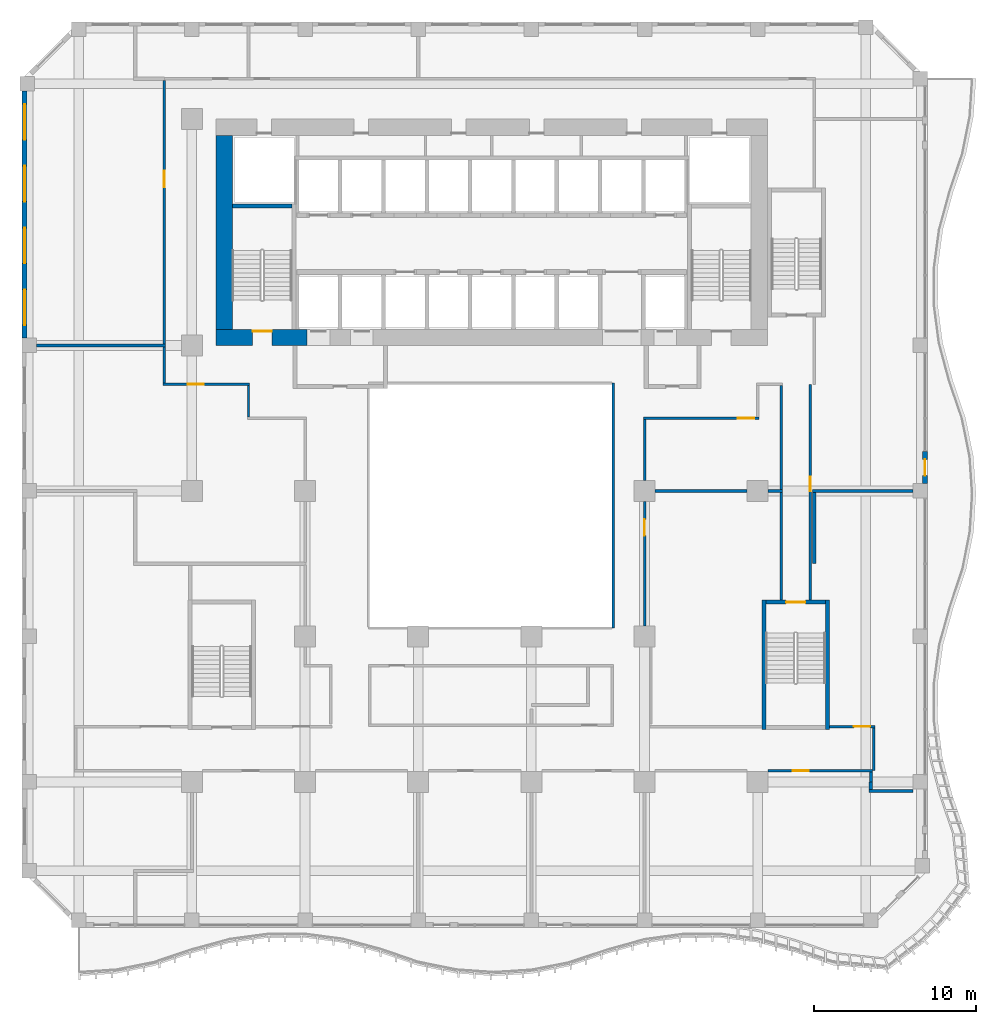
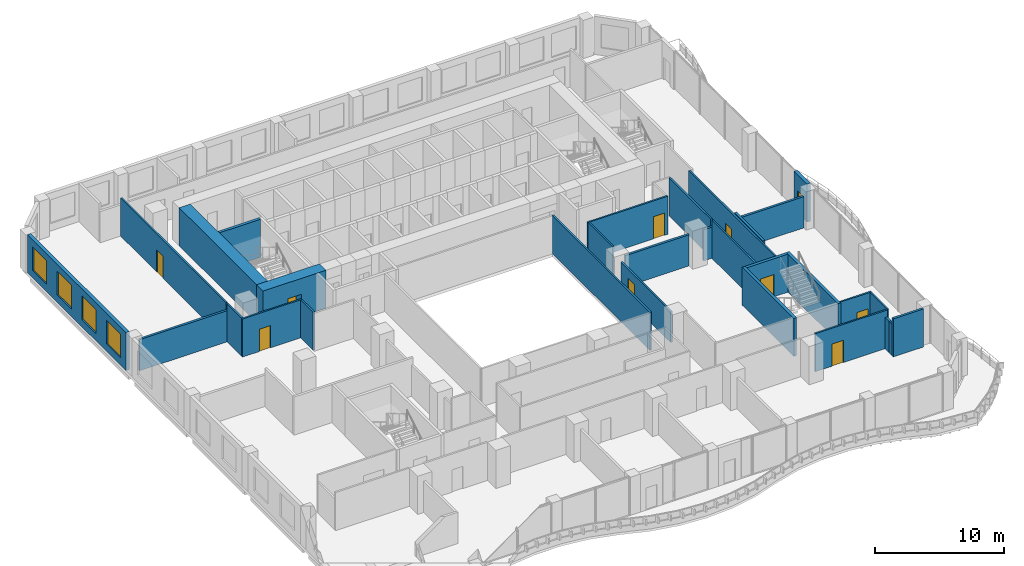
# One storey, part 14 of 23: 30 walls, 10 doors, 4 windows, 14 openings.
"""IFC4 building model written with IfcOpenShell, lengths in metres."""

import ifcopenshell
import ifcopenshell.guid

model = None  # the IFC model being written
_history = None  # IfcOwnerHistory: only IFC2X3 demands one
_inside = {}  # id of a spatial element -> (the spatial element, [elements in it])
_under = {}  # id of a project, library or spatial element -> (it, [spatial elements below it])
_declared = {}  # id of a project -> (the project, [libraries it declares])
_typed = {}  # id of a type object -> (the type object, [elements of that type])
_made_of = {}  # id of a material, layer set ... -> (it, [elements and type objects made of it])


def new_model(schema):
    """Start an empty IFC model of exactly this schema.

    Asked for "IFC4X3", IfcOpenShell would pick the latest addendum, in which some entities
    have other attributes; the version numbers below select the first issue.
    IFC2X3 requires an IfcOwnerHistory on every rooted entity: one is made here for all.
    """
    global model, _history
    if schema == "IFC4X3":
        model = ifcopenshell.file(schema_version=(4, 3, 0, 0))
    else:
        model = ifcopenshell.file(schema=schema)
    _inside.clear()
    _under.clear()
    _declared.clear()
    _typed.clear()
    _made_of.clear()
    _history = None
    if model.schema == "IFC2X3":
        org = make("IfcOrganization", Name="unknown")
        user = make(
            "IfcPersonAndOrganization",
            ThePerson=make("IfcPerson", FamilyName="unknown"),
            TheOrganization=org,
        )
        app = make(
            "IfcApplication",
            ApplicationDeveloper=org,
            Version="unknown",
            ApplicationFullName="unknown",
            ApplicationIdentifier="unknown",
        )
        _history = make(
            "IfcOwnerHistory",
            OwningUser=user,
            OwningApplication=app,
            ChangeAction="ADDED",
            CreationDate=0,
        )
    return model


def make(cls, **values):
    """One entity of the class cls with the attributes given. An attribute that is None is left unset."""
    return model.create_entity(
        cls, **{name: value for name, value in values.items() if value is not None}
    )


def rooted(cls, **values):
    """An entity with a GlobalId (a new one), such as an element, a storey or a relation."""
    return make(cls, GlobalId=ifcopenshell.guid.new(), OwnerHistory=_history, **values)


def si_unit(unit_type, name, prefix=None):
    """IfcSIUnit, for example si_unit("LENGTHUNIT", "METRE", prefix="MILLI")."""
    return make("IfcSIUnit", UnitType=unit_type, Prefix=prefix, Name=name)


def assignment(units):
    """IfcUnitAssignment: the units of a project."""
    return None if units is None else make("IfcUnitAssignment", Units=units)


def point(xyz):
    """IfcCartesianPoint."""
    return None if xyz is None else make("IfcCartesianPoint", Coordinates=xyz)


def direction(xyz):
    """IfcDirection."""
    return None if xyz is None else make("IfcDirection", DirectionRatios=xyz)


def frame(location, z_axis=None, x_axis=None):
    """IfcAxis2Placement3D, a coordinate frame: its origin and axes. An axis left out is left unset."""
    return make(
        "IfcAxis2Placement3D",
        Location=point(location),
        Axis=direction(z_axis),
        RefDirection=direction(x_axis),
    )


def frame_2d(location, x_axis=None):
    """IfcAxis2Placement2D, a coordinate frame in the plane: its origin and x axis."""
    return make(
        "IfcAxis2Placement2D", Location=point(location), RefDirection=direction(x_axis)
    )


def origin():
    """The frame at (0, 0, 0) with its axes left unset."""
    return frame((0.0, 0.0, 0.0))


def place(relative_to, where):
    """IfcLocalPlacement: puts the frame where relative to a parent placement (None: the world)."""
    return make(
        "IfcLocalPlacement", PlacementRelTo=relative_to, RelativePlacement=where
    )


def context(
    kind, dimensions, precision=None, world=None, true_north=None, identifier=None
):
    """IfcGeometricRepresentationContext, for example the 3D "Model" context."""
    return make(
        "IfcGeometricRepresentationContext",
        ContextIdentifier=identifier,
        ContextType=kind,
        CoordinateSpaceDimension=dimensions,
        Precision=precision,
        WorldCoordinateSystem=world,
        TrueNorth=true_north,
    )


def subcontext(parent, identifier, kind, view, scale=None):
    """IfcGeometricRepresentationSubContext, for example "Body" below "Model"."""
    return make(
        "IfcGeometricRepresentationSubContext",
        ContextIdentifier=identifier,
        ContextType=kind,
        ParentContext=parent,
        TargetScale=scale,
        TargetView=view,
    )


def project(units=None, contexts=None):
    """IfcProject with its units and contexts."""
    return rooted(
        "IfcProject",
        Name="project",
        RepresentationContexts=contexts,
        UnitsInContext=assignment(units),
    )


def spatial(cls, under=None, at=None, **own):
    """A site, building, storey or space (cls), placed at a placement, below another one or the project."""
    s = rooted(cls, ObjectPlacement=at, **own)
    if under is not None:
        _under.setdefault(under.id(), (under, []))[1].append(s)
    return s


def profile(cls, at=None, kind="AREA", **sizes):
    """A parametric profile (cls). Its sizes go by their IFC names, for example OverallWidth=200.0."""
    return make(cls, ProfileType=kind, Position=at, **sizes)


def rectangle(**sizes):
    """IfcRectangleProfileDef."""
    return profile("IfcRectangleProfileDef", **sizes)


def extrude(swept, where, along, depth):
    """IfcExtrudedAreaSolid: the profile swept, set in the frame where, extruded along a direction by depth."""
    return make(
        "IfcExtrudedAreaSolid",
        SweptArea=swept,
        Position=where,
        ExtrudedDirection=direction(along),
        Depth=depth,
    )


def shape(context_of_items, identifier, shape_type, items):
    """IfcShapeRepresentation: the items that make up one representation, for example the "Body"."""
    return make(
        "IfcShapeRepresentation",
        ContextOfItems=context_of_items,
        RepresentationIdentifier=identifier,
        RepresentationType=shape_type,
        Items=items,
    )


def source(mapping_origin, context_of_items, identifier, shape_type, items):
    """IfcRepresentationMap: a shape defined once, which mapped items show again and again."""
    return make(
        "IfcRepresentationMap",
        MappingOrigin=mapping_origin,
        MappedRepresentation=shape(context_of_items, identifier, shape_type, items),
    )


def transform(
    local_origin,
    x_axis=None,
    y_axis=None,
    z_axis=None,
    scale=None,
    scale2=None,
    scale3=None,
    uniform=True,
):
    """IfcCartesianTransformationOperator3D, or its non-uniform kind. x_axis, y_axis, z_axis: its Axis1, 2, 3."""
    if uniform:
        return make(
            "IfcCartesianTransformationOperator3D",
            Axis1=direction(x_axis),
            Axis2=direction(y_axis),
            LocalOrigin=point(local_origin),
            Scale=scale,
            Axis3=direction(z_axis),
        )
    return make(
        "IfcCartesianTransformationOperator3DnonUniform",
        Axis1=direction(x_axis),
        Axis2=direction(y_axis),
        LocalOrigin=point(local_origin),
        Scale=scale,
        Axis3=direction(z_axis),
        Scale2=scale2,
        Scale3=scale3,
    )


def mapped(mapping_source, mapping_target):
    """IfcMappedItem: shows the shape of a source again, moved by a transform."""
    return make(
        "IfcMappedItem", MappingSource=mapping_source, MappingTarget=mapping_target
    )


def material(Name=None, Category=None):
    """IfcMaterial."""
    return make("IfcMaterial", Name=Name, Category=Category)


def layer(
    of_material, thickness, ventilated=None, Name=None, Category=None, Priority=None
):
    """IfcMaterialLayer: one layer of a wall or slab, of a material (None: an air gap)."""
    return make(
        "IfcMaterialLayer",
        Material=of_material,
        LayerThickness=thickness,
        IsVentilated=ventilated,
        Name=Name,
        Category=Category,
        Priority=Priority,
    )


def layer_set(layers, Name=None):
    """IfcMaterialLayerSet."""
    return make("IfcMaterialLayerSet", MaterialLayers=layers, LayerSetName=Name)


def made_of(thing, what):
    """Note that an element or type object is made of a material, layer set ...; save() writes the relation."""
    if what is not None:
        _made_of.setdefault(what.id(), (what, []))[1].append(thing)
    return thing


def type_object(cls, material=None, **own):
    """A type object (cls), such as IfcWallType, which elements share."""
    return made_of(rooted(cls, **own), material)


def element(
    cls,
    number,
    at=None,
    inside=None,
    cuts=None,
    type_object=None,
    material=None,
    context=None,
    identifier="Body",
    shape_type=None,
    held_by="IfcProductDefinitionShape",
    body=None,
    shapes=None,
    **own,
):
    """One element of the class cls, such as IfcWall. Its Tag is "e" and its number.

    at: its placement. inside: the storey or other place that contains it. cuts: it is an
    opening in that element (IfcRelVoidsElement). A single representation is given by context,
    identifier, shape_type and body (its items); several are given by shapes. held_by: the class
    of the entity that holds the representations. save() writes the other relations.
    """
    e = rooted(cls, Tag="e%d" % number, ObjectPlacement=at, **own)
    if body is not None:
        shapes = [shape(context, identifier, shape_type, body)]
    if shapes is not None:
        e.Representation = make(held_by, Representations=shapes)
    if inside is not None:
        _inside.setdefault(inside.id(), (inside, []))[1].append(e)
    if cuts is not None:
        rooted(
            "IfcRelVoidsElement", RelatingBuildingElement=cuts, RelatedOpeningElement=e
        )
    if type_object is not None:
        _typed.setdefault(type_object.id(), (type_object, []))[1].append(e)
    return made_of(e, material)


def fill(opening, filler):
    """IfcRelFillsElement: the door or window that sits in an opening."""
    return rooted(
        "IfcRelFillsElement",
        RelatingOpeningElement=opening,
        RelatedBuildingElement=filler,
    )


def aggregate(whole, parts):
    """IfcRelAggregates: a whole, such as a stair, and the parts it consists of."""
    return rooted("IfcRelAggregates", RelatingObject=whole, RelatedObjects=parts)


def save(model, path):
    """Write the relations noted so far, then the file.

    IfcRelAggregates (storeys below a building ...), IfcRelContainedInSpatialStructure (elements
    in a storey), IfcRelDefinesByType, IfcRelAssociatesMaterial and IfcRelDeclares: one each for
    every whole, place, type object, material and project.
    """
    for whole, parts in _under.values():
        aggregate(whole, parts)
    for where, things in _inside.values():
        rooted(
            "IfcRelContainedInSpatialStructure",
            RelatedElements=things,
            RelatingStructure=where,
        )
    for kind, things in _typed.values():
        rooted("IfcRelDefinesByType", RelatedObjects=things, RelatingType=kind)
    for what, things in _made_of.values():
        rooted("IfcRelAssociatesMaterial", RelatedObjects=things, RelatingMaterial=what)
    for by, libraries in _declared.values():
        rooted("IfcRelDeclares", RelatingContext=by, RelatedDefinitions=libraries)
    model.write(path)


model = new_model("IFC4")

# Units and contexts
model_context = context("Model", 3, precision=1e-05, world=origin(), true_north=direction((0.0, 1.0)))
body_context = subcontext(model_context, "Body", "Model", "MODEL_VIEW")
ifc_project = project(units=[si_unit("LENGTHUNIT", "METRE"), si_unit("AREAUNIT", "SQUARE_METRE"), si_unit("VOLUMEUNIT", "CUBIC_METRE"), si_unit("PLANEANGLEUNIT", "RADIAN"), si_unit("MASSUNIT", "GRAM", prefix="KILO")], contexts=[model_context])

# Site, building, storey
site_placement = place(None, origin())
site = spatial("IfcSite", under=ifc_project, at=site_placement, CompositionType="ELEMENT")
building_placement = place(site_placement, origin())
building = spatial("IfcBuilding", under=site, at=building_placement, Name="Kilnfold Tower and Market Hall", CompositionType="ELEMENT")
storey_placement = place(building_placement, frame((0.0, 0.0, 55.0)))
storey = spatial("IfcBuildingStorey", under=building, at=storey_placement, Name="L12", CompositionType="ELEMENT", Elevation=55.0)

# Walls
ifc_material_1 = material(Name="Fire-resisting glazed screen")
ifc_layer_1 = layer(ifc_material_1, 0.14990234375)
ifc_layer_set_1 = layer_set([ifc_layer_1], Name="Fire-resisting glazed screen")
wall_type_1 = type_object("IfcWallType", Name="WALL ATRIUM 150", PredefinedType="PARTITIONING", material=ifc_layer_set_1)
wall_1_placement = place(storey_placement, frame((8.574951171875, 5.675048828125, 0.0), z_axis=(0.0, 0.0, 1.0), x_axis=(0.0, -1.0, 0.0)))
element("IfcWall", 1, at=wall_1_placement, inside=storey, type_object=wall_type_1, Name="Partition LY10.71", PredefinedType="PARTITIONING", context=body_context, shape_type="SweptSolid", body=[
    extrude(rectangle(XDim=15.150146484375, YDim=0.14990234375, at=frame_2d((7.5751953125, 0.0))), origin(), (0.0, 0.0, 1.0), 3.60009765625),
])
ifc_material_2 = material(Name="Gypsum board on steel studs", Category="steel")
ifc_layer_2 = layer(ifc_material_2, 0.14990234375)
ifc_layer_set_2 = layer_set([ifc_layer_2], Name="Gypsum board on steel studs")
wall_type_2 = type_object("IfcWallType", Name="WALL CORRIDOR 150", PredefinedType="PARTITIONING", material=ifc_layer_set_2)
wall_2_placement = place(storey_placement, frame((-14.0, 5.52490234375, 0.0), z_axis=(0.0, 0.0, 1.0), x_axis=(0.0, -1.0, 0.0)))
element("IfcWall", 2, at=wall_2_placement, inside=storey, type_object=wall_type_2, Name="Partition LY10.4", PredefinedType="PARTITIONING", context=body_context, shape_type="SweptSolid", body=[
    extrude(rectangle(XDim=1.949951171875, YDim=0.14990234375, at=frame_2d((0.97509765625, 0.0))), origin(), (0.0, 0.0, 1.0), 3.60009765625),
])

# Wall, opening, door
wall_3_placement = place(storey_placement, frame((-19.27490234375, 5.60009765625, 0.0), z_axis=(0.0, 0.0, 1.0), x_axis=(1.0, 0.0, 0.0)))
wall_3 = element("IfcWall", 3, at=wall_3_placement, inside=storey, type_object=wall_type_2, Name="Partition LY10.5", PredefinedType="PARTITIONING", context=body_context, shape_type="SweptSolid", body=[
    extrude(rectangle(XDim=5.349853515625, YDim=0.14990234375, at=frame_2d((2.6748046875, 0.0))), origin(), (0.0, 0.0, 1.0), 3.60009765625),
])
opening_1_placement = place(wall_3_placement, frame((1.51708984375, 0.0, 0.0)))
opening_1 = element("IfcOpeningElement", 4, at=opening_1_placement, cuts=wall_3, Name="Opening D1", PredefinedType="OPENING", context=body_context, shape_type="SweptSolid", body=[
    extrude(rectangle(XDim=1.0, YDim=2.10009765625, at=frame_2d((0.5, 1.050048828125))), frame((0.0, 0.0849609375, 0.0), z_axis=(0.0, -1.0, 0.0), x_axis=(1.0, 0.0, 0.0)), (0.0, 0.0, 1.0), 0.169921875),
])
ifc_material_3 = material(Name="Timber veneer door leaf in steel frame", Category="steel")
door_type_1 = type_object("IfcDoorType", Name="DOOR ENTRY 1000 X2100", OperationType="NOTDEFINED", PredefinedType="DOOR", material=ifc_material_3)
door_1_placement = place(opening_1_placement, origin())
door_1 = element("IfcDoor", 5, at=door_1_placement, inside=storey, type_object=door_type_1, Name="Door D1", OperationType="SINGLE_SWING_RIGHT", OverallHeight=2.10009765625, OverallWidth=1.0, PredefinedType="DOOR", context=body_context, shape_type="SweptSolid", body=[
    extrude(rectangle(XDim=1.0, YDim=2.10009765625, at=frame_2d((0.5, 1.050048828125))), frame((0.0, 0.02490234375, 0.0), z_axis=(0.0, -1.0, 0.0), x_axis=(1.0, 0.0, 0.0)), (0.0, 0.0, 1.0), 0.050048828125),
])
fill(opening_1, door_1)

# Wall
wall_4_placement = place(storey_placement, frame((-19.199951171875, 5.675048828125, 0.0), z_axis=(0.0, 0.0, 1.0), x_axis=(0.0, 1.0, 0.0)))
element("IfcWall", 6, at=wall_4_placement, inside=storey, type_object=wall_type_2, Name="Partition LY10.6", PredefinedType="PARTITIONING", context=body_context, shape_type="SweptSolid", body=[
    extrude(rectangle(XDim=2.23486328125, YDim=0.14990234375, at=frame_2d((1.117431640625, 0.0))), origin(), (0.0, 0.0, 1.0), 3.60009765625),
])

# Wall, opening, door
wall_5_placement = place(storey_placement, frame((18.14990234375, -18.300048828125, 0.0), z_axis=(0.0, 0.0, 1.0), x_axis=(1.0, 0.0, 0.0)))
wall_5 = element("IfcWall", 7, at=wall_5_placement, inside=storey, type_object=wall_type_2, Name="Partition LY10.24", PredefinedType="PARTITIONING", context=body_context, shape_type="SweptSolid", body=[
    extrude(rectangle(XDim=6.460205078125, YDim=0.14990234375, at=frame_2d((3.22998046875, 0.0))), origin(), (0.0, 0.0, 1.0), 3.60009765625),
])
opening_2_placement = place(wall_5_placement, frame((1.51611328125, 0.0, 0.0)))
opening_2 = element("IfcOpeningElement", 8, at=opening_2_placement, cuts=wall_5, Name="Opening D1", PredefinedType="OPENING", context=body_context, shape_type="SweptSolid", body=[
    extrude(rectangle(XDim=1.0, YDim=2.10009765625, at=frame_2d((0.5, 1.050048828125))), frame((0.0, 0.0849609375, 0.0), z_axis=(0.0, -1.0, 0.0), x_axis=(1.0, 0.0, 0.0)), (0.0, 0.0, 1.0), 0.169921875),
])
door_2_placement = place(opening_2_placement, origin())
door_2 = element("IfcDoor", 9, at=door_2_placement, inside=storey, type_object=door_type_1, Name="Door D1", OperationType="SINGLE_SWING_RIGHT", OverallHeight=2.10009765625, OverallWidth=1.0, PredefinedType="DOOR", context=body_context, shape_type="SweptSolid", body=[
    extrude(rectangle(XDim=1.0, YDim=2.10009765625, at=frame_2d((0.5, 1.050048828125))), frame((0.0, 0.02490234375, 0.0), z_axis=(0.0, -1.0, 0.0), x_axis=(1.0, 0.0, 0.0)), (0.0, 0.0, 1.0), 0.050048828125),
])
fill(opening_2, door_2)

wall_6_placement = place(storey_placement, frame((10.5, -9.35009765625, 0.0), z_axis=(0.0, 0.0, 1.0), x_axis=(0.0, 1.0, 0.0)))
wall_6 = element("IfcWall", 10, at=wall_6_placement, inside=storey, type_object=wall_type_2, Name="Partition LY10.25", PredefinedType="PARTITIONING", context=body_context, shape_type="SweptSolid", body=[
    extrude(rectangle(XDim=7.7001953125, YDim=0.14990234375, at=frame_2d((3.85009765625, 0.0))), origin(), (0.0, 0.0, 1.0), 2.949951171875),
])
opening_3_placement = place(wall_6_placement, frame((5.5849609375, 0.0, 0.0)))
opening_3 = element("IfcOpeningElement", 11, at=opening_3_placement, cuts=wall_6, Name="Opening D1", PredefinedType="OPENING", context=body_context, shape_type="SweptSolid", body=[
    extrude(rectangle(XDim=1.0, YDim=2.10009765625, at=frame_2d((0.5, 1.050048828125))), frame((0.0, 0.0849609375, 0.0), z_axis=(0.0, -1.0, 0.0), x_axis=(1.0, 0.0, 0.0)), (0.0, 0.0, 1.0), 0.169921875),
])
door_3_placement = place(opening_3_placement, origin())
door_3 = element("IfcDoor", 12, at=door_3_placement, inside=storey, type_object=door_type_1, Name="Door D1", OperationType="SINGLE_SWING_RIGHT", OverallHeight=2.10009765625, OverallWidth=1.0, PredefinedType="DOOR", context=body_context, shape_type="SweptSolid", body=[
    extrude(rectangle(XDim=1.0, YDim=2.10009765625, at=frame_2d((0.5, 1.050048828125))), frame((0.0, 0.02490234375, 0.0), z_axis=(0.0, -1.0, 0.0), x_axis=(1.0, 0.0, 0.0)), (0.0, 0.0, 1.0), 0.050048828125),
])
fill(opening_3, door_3)

# Wall
wall_7_placement = place(storey_placement, frame((18.949951171875, -7.75, 0.0), z_axis=(0.0, 0.0, 1.0), x_axis=(0.0, 1.0, 0.0)))
element("IfcWall", 13, at=wall_7_placement, inside=storey, type_object=wall_type_2, Name="Partition LY10.28", PredefinedType="PARTITIONING", context=body_context, shape_type="SweptSolid", body=[
    extrude(rectangle(XDim=6.659912109375, YDim=0.14990234375, at=frame_2d((3.330078125, 0.0))), origin(), (0.0, 0.0, 1.0), 3.60009765625),
])

# Wall, opening, door
wall_8_placement = place(storey_placement, frame((21.949951171875, -15.574951171875, 0.0), z_axis=(0.0, 0.0, 1.0), x_axis=(1.0, 0.0, 0.0)))
wall_8 = element("IfcWall", 14, at=wall_8_placement, inside=storey, type_object=wall_type_2, Name="Partition LY10.29", PredefinedType="PARTITIONING", context=body_context, shape_type="SweptSolid", body=[
    extrude(rectangle(XDim=2.80712890625, YDim=0.14990234375, at=frame_2d((1.403564453125, 0.0))), origin(), (0.0, 0.0, 1.0), 3.60009765625),
])
opening_4_placement = place(wall_8_placement, frame((1.506103515625, 0.0, 0.0)))
opening_4 = element("IfcOpeningElement", 15, at=opening_4_placement, cuts=wall_8, Name="Opening D1", PredefinedType="OPENING", context=body_context, shape_type="SweptSolid", body=[
    extrude(rectangle(XDim=1.0, YDim=2.10009765625, at=frame_2d((0.5, 1.050048828125))), frame((0.0, 0.0849609375, 0.0), z_axis=(0.0, -1.0, 0.0), x_axis=(1.0, 0.0, 0.0)), (0.0, 0.0, 1.0), 0.169921875),
])
door_4_placement = place(opening_4_placement, origin())
door_4 = element("IfcDoor", 16, at=door_4_placement, inside=storey, type_object=door_type_1, Name="Door D1", OperationType="SINGLE_SWING_RIGHT", OverallHeight=2.10009765625, OverallWidth=1.0, PredefinedType="DOOR", context=body_context, shape_type="SweptSolid", body=[
    extrude(rectangle(XDim=1.0, YDim=2.10009765625, at=frame_2d((0.5, 1.050048828125))), frame((0.0, 0.02490234375, 0.0), z_axis=(0.0, -1.0, 0.0), x_axis=(1.0, 0.0, 0.0)), (0.0, 0.0, 1.0), 0.050048828125),
])
fill(opening_4, door_4)

# Wall
wall_9_placement = place(storey_placement, frame((24.681884765625, -18.300048828125, 0.0), z_axis=(0.0, 0.0, 1.0), x_axis=(0.0, 1.0, 0.0)))
element("IfcWall", 17, at=wall_9_placement, inside=storey, type_object=wall_type_2, Name="Partition LY10.30", PredefinedType="PARTITIONING", context=body_context, shape_type="SweptSolid", body=[
    extrude(rectangle(XDim=2.650146484375, YDim=0.14990234375, at=frame_2d((1.3251953125, 0.0))), origin(), (0.0, 0.0, 1.0), 3.60009765625),
])

# Wall, opening, door
wall_10_placement = place(storey_placement, frame((20.75, -7.75, 0.0), z_axis=(0.0, 0.0, 1.0), x_axis=(0.0, 1.0, 0.0)))
wall_10 = element("IfcWall", 18, at=wall_10_placement, inside=storey, type_object=wall_type_2, Name="Partition LY10.31", PredefinedType="PARTITIONING", context=body_context, shape_type="SweptSolid", body=[
    extrude(rectangle(XDim=13.35009765625, YDim=0.14990234375, at=frame_2d((6.675048828125, 0.0))), origin(), (0.0, 0.0, 1.0), 3.60009765625),
])
opening_5_placement = place(wall_10_placement, frame((6.743896484375, 0.0, 0.0)))
opening_5 = element("IfcOpeningElement", 19, at=opening_5_placement, cuts=wall_10, Name="Opening D2", PredefinedType="OPENING", context=body_context, shape_type="SweptSolid", body=[
    extrude(rectangle(XDim=0.89990234375, YDim=2.10009765625, at=frame_2d((0.449951171875, 1.050048828125))), frame((0.0, 0.0849609375, 0.0), z_axis=(0.0, -1.0, 0.0), x_axis=(1.0, 0.0, 0.0)), (0.0, 0.0, 1.0), 0.169921875),
])
ifc_material_4 = material(Name="Timber veneer door leaf in steel frame", Category="steel")
door_type_2 = type_object("IfcDoorType", Name="DOOR ROOM 900 X2100", OperationType="NOTDEFINED", PredefinedType="DOOR", material=ifc_material_4)
door_5_placement = place(opening_5_placement, origin())
door_5 = element("IfcDoor", 20, at=door_5_placement, inside=storey, type_object=door_type_2, Name="Door D2", OperationType="SINGLE_SWING_RIGHT", OverallHeight=2.10009765625, OverallWidth=0.89990234375, PredefinedType="DOOR", context=body_context, shape_type="SweptSolid", body=[
    extrude(rectangle(XDim=0.89990234375, YDim=2.10009765625, at=frame_2d((0.449951171875, 1.050048828125))), frame((0.0, 0.02490234375, 0.0), z_axis=(0.0, -1.0, 0.0), x_axis=(1.0, 0.0, 0.0)), (0.0, 0.0, 1.0), 0.050048828125),
])
fill(opening_5, door_5)

# Walls
wall_11_placement = place(storey_placement, frame((10.5, -0.35009765625, 0.0), z_axis=(0.0, 0.0, 1.0), x_axis=(0.0, 1.0, 0.0)))
element("IfcWall", 21, at=wall_11_placement, inside=storey, type_object=wall_type_2, Name="Partition LY10.32", PredefinedType="PARTITIONING", context=body_context, shape_type="SweptSolid", body=[
    extrude(rectangle(XDim=3.775146484375, YDim=0.14990234375, at=frame_2d((1.8876953125, 0.0))), origin(), (0.0, 0.0, 1.0), 3.60009765625),
])
wall_12_placement = place(storey_placement, frame((18.949951171875, -0.909912109375, 0.0), z_axis=(0.0, 0.0, 1.0), x_axis=(0.0, 1.0, 0.0)))
element("IfcWall", 22, at=wall_12_placement, inside=storey, type_object=wall_type_2, Name="Partition LY10.33", PredefinedType="PARTITIONING", context=body_context, shape_type="SweptSolid", body=[
    extrude(rectangle(XDim=6.434814453125, YDim=0.14990234375, at=frame_2d((3.21728515625, 0.0))), origin(), (0.0, 0.0, 1.0), 3.60009765625),
])

# Wall, opening, door
wall_13_placement = place(storey_placement, frame((10.425048828125, 3.5, 0.0), z_axis=(0.0, 0.0, 1.0), x_axis=(1.0, 0.0, 0.0)))
wall_13 = element("IfcWall", 23, at=wall_13_placement, inside=storey, type_object=wall_type_2, Name="Partition LY10.36", PredefinedType="PARTITIONING", context=body_context, shape_type="SweptSolid", body=[
    extrude(rectangle(XDim=7.14990234375, YDim=0.14990234375, at=frame_2d((3.574951171875, 0.0))), origin(), (0.0, 0.0, 1.0), 3.60009765625),
])
opening_6_placement = place(wall_13_placement, frame((5.84912109375, 0.0, 0.0)))
opening_6 = element("IfcOpeningElement", 24, at=opening_6_placement, cuts=wall_13, Name="Opening D1", PredefinedType="OPENING", context=body_context, shape_type="SweptSolid", body=[
    extrude(rectangle(XDim=1.0, YDim=2.10009765625, at=frame_2d((0.5, 1.050048828125))), frame((0.0, 0.0849609375, 0.0), z_axis=(0.0, -1.0, 0.0), x_axis=(1.0, 0.0, 0.0)), (0.0, 0.0, 1.0), 0.169921875),
])
door_6_placement = place(opening_6_placement, origin())
door_6 = element("IfcDoor", 25, at=door_6_placement, inside=storey, type_object=door_type_1, Name="Door D1", OperationType="SINGLE_SWING_LEFT", OverallHeight=2.10009765625, OverallWidth=1.0, PredefinedType="DOOR", context=body_context, shape_type="SweptSolid", body=[
    extrude(rectangle(XDim=1.0, YDim=2.10009765625, at=frame_2d((0.5, 1.050048828125))), frame((0.0, 0.02490234375, 0.0), z_axis=(0.0, -1.0, 0.0), x_axis=(1.0, 0.0, 0.0)), (0.0, 0.0, 1.0), 0.050048828125),
])
fill(opening_6, door_6)

wall_14_placement = place(storey_placement, frame((-19.199951171875, 8.090087890625, 0.0), z_axis=(0.0, 0.0, 1.0), x_axis=(0.0, 1.0, 0.0)))
wall_14 = element("IfcWall", 26, at=wall_14_placement, inside=storey, type_object=wall_type_2, Name="Partition LY10.41", PredefinedType="PARTITIONING", context=body_context, shape_type="SweptSolid", body=[
    extrude(rectangle(XDim=16.309814453125, YDim=0.14990234375, at=frame_2d((8.15478515625, 0.0))), origin(), (0.0, 0.0, 1.0), 3.60009765625),
])
opening_7_placement = place(wall_14_placement, frame((9.7060546875, 0.0, 0.0)))
opening_7 = element("IfcOpeningElement", 27, at=opening_7_placement, cuts=wall_14, Name="Opening D1", PredefinedType="OPENING", context=body_context, shape_type="SweptSolid", body=[
    extrude(rectangle(XDim=1.0, YDim=2.10009765625, at=frame_2d((0.5, 1.050048828125))), frame((0.0, 0.0849609375, 0.0), z_axis=(0.0, -1.0, 0.0), x_axis=(1.0, 0.0, 0.0)), (0.0, 0.0, 1.0), 0.169921875),
])
door_7_placement = place(opening_7_placement, origin())
door_7 = element("IfcDoor", 28, at=door_7_placement, inside=storey, type_object=door_type_1, Name="Door D1", OperationType="SINGLE_SWING_LEFT", OverallHeight=2.10009765625, OverallWidth=1.0, PredefinedType="DOOR", context=body_context, shape_type="SweptSolid", body=[
    extrude(rectangle(XDim=1.0, YDim=2.10009765625, at=frame_2d((0.5, 1.050048828125))), frame((0.0, 0.02490234375, 0.0), z_axis=(0.0, -1.0, 0.0), x_axis=(1.0, 0.0, 0.0)), (0.0, 0.0, 1.0), 0.050048828125),
])
fill(opening_7, door_7)

# Walls
ifc_material_5 = material(Name="Gypsum board on steel studs", Category="steel")
ifc_layer_3 = layer(ifc_material_5, 0.199951171875)
ifc_layer_set_3 = layer_set([ifc_layer_3], Name="Gypsum board on steel studs")
wall_type_3 = type_object("IfcWallType", Name="WALL PARTY 200", PredefinedType="PARTITIONING", material=ifc_layer_set_3)
wall_15_placement = place(storey_placement, frame((-19.1259765625, 8.0, 0.0), z_axis=(0.0, 0.0, 1.0), x_axis=(-1.0, 0.0, 0.0)))
element("IfcWall", 29, at=wall_15_placement, inside=storey, type_object=wall_type_3, Name="Partition LY10.45", PredefinedType="PARTITIONING", context=body_context, shape_type="SweptSolid", body=[
    extrude(rectangle(XDim=7.97412109375, YDim=0.199951171875, at=frame_2d((3.987060546875, 0.0))), origin(), (0.0, 0.0, 1.0), 2.949951171875),
])
wall_16_placement = place(storey_placement, frame((24.498046875, -19.4580078125, 0.0), z_axis=(0.0, 0.0, 1.0), x_axis=(0.0, 1.0, 0.0)))
element("IfcWall", 30, at=wall_16_placement, inside=storey, type_object=wall_type_3, Name="Partition LY10.56", PredefinedType="PARTITIONING", context=body_context, shape_type="SweptSolid", body=[
    extrude(rectangle(XDim=0.4599609375, YDim=0.199951171875, at=frame_2d((0.22998046875, 0.0))), origin(), (0.0, 0.0, 1.0), 2.949951171875),
])
wall_17_placement = place(storey_placement, frame((27.10205078125, -19.55810546875, 0.0), z_axis=(0.0, 0.0, 1.0), x_axis=(-1.0, 0.0, 0.0)))
element("IfcWall", 31, at=wall_17_placement, inside=storey, type_object=wall_type_3, Name="Partition LY10.57", PredefinedType="PARTITIONING", context=body_context, shape_type="SweptSolid", body=[
    extrude(rectangle(XDim=2.7041015625, YDim=0.199951171875, at=frame_2d((1.35205078125, 0.0))), origin(), (0.0, 0.0, 1.0), 3.60009765625),
])
wall_18_placement = place(storey_placement, frame((24.5, -18.998046875, 0.0), z_axis=(0.0, 0.0, 1.0), x_axis=(0.0, 1.0, 0.0)))
element("IfcWall", 32, at=wall_18_placement, inside=storey, type_object=wall_type_3, Name="Partition LY10.58", PredefinedType="PARTITIONING", context=body_context, shape_type="SweptSolid", body=[
    extrude(rectangle(XDim=0.6220703125, YDim=0.199951171875, at=frame_2d((0.31103515625, 0.0))), origin(), (0.0, 0.0, 1.0), 2.949951171875),
])
wall_19_placement = place(storey_placement, frame((11.14990234375, -1.0, 0.0), z_axis=(0.0, 0.0, 1.0), x_axis=(1.0, 0.0, 0.0)))
element("IfcWall", 33, at=wall_19_placement, inside=storey, type_object=wall_type_3, Name="Partition LY10.59", PredefinedType="PARTITIONING", context=body_context, shape_type="SweptSolid", body=[
    extrude(rectangle(XDim=5.7001953125, YDim=0.199951171875, at=frame_2d((2.85009765625, 0.0))), origin(), (0.0, 0.0, 1.0), 2.949951171875),
])
wall_20_placement = place(storey_placement, frame((18.14990234375, -1.0, 0.0), z_axis=(0.0, 0.0, 1.0), x_axis=(1.0, 0.0, 0.0)))
element("IfcWall", 34, at=wall_20_placement, inside=storey, type_object=wall_type_3, Name="Partition LY10.60", PredefinedType="PARTITIONING", context=body_context, shape_type="SweptSolid", body=[
    extrude(rectangle(XDim=0.8740234375, YDim=0.199951171875, at=frame_2d((0.43701171875, 0.0))), origin(), (0.0, 0.0, 1.0), 2.949951171875),
])
wall_21_placement = place(storey_placement, frame((21.0, -1.10009765625, 0.0), z_axis=(0.0, 0.0, 1.0), x_axis=(0.0, -1.0, 0.0)))
element("IfcWall", 35, at=wall_21_placement, inside=storey, type_object=wall_type_3, Name="Partition LY10.61", PredefinedType="PARTITIONING", context=body_context, shape_type="SweptSolid", body=[
    extrude(rectangle(XDim=4.39990234375, YDim=0.199951171875, at=frame_2d((2.199951171875, 0.0))), origin(), (0.0, 0.0, 1.0), 3.60009765625),
])
wall_22_placement = place(storey_placement, frame((20.89990234375, -1.0, 0.0), z_axis=(0.0, 0.0, 1.0), x_axis=(1.0, 0.0, 0.0)))
element("IfcWall", 36, at=wall_22_placement, inside=storey, type_object=wall_type_3, Name="Partition LY10.62", PredefinedType="PARTITIONING", context=body_context, shape_type="SweptSolid", body=[
    extrude(rectangle(XDim=6.2001953125, YDim=0.199951171875, at=frame_2d((3.10009765625, 0.0))), origin(), (0.0, 0.0, 1.0), 2.949951171875),
])

# Wall, opening, door
ifc_material_6 = material(Name="Concrete C80", Category="concrete")
ifc_layer_4 = layer(ifc_material_6, 1.0)
ifc_layer_set_4 = layer_set([ifc_layer_4], Name="Concrete C80")
wall_type_4 = type_object("IfcWallType", Name="CORE WALL 1000 C80", PredefinedType="SHEAR", material=ifc_layer_set_4)
shared_shape_1 = source(origin(), body_context, "Body", "SweptSolid", [
    extrude(rectangle(XDim=5.6298828125, YDim=1.0, at=frame_2d((2.81494140625, 0.0))), origin(), (0.0, 0.0, 1.0), 3.60009765625),
])
wall_23_placement = place(storey_placement, frame((-16.0, 8.5, 0.0), z_axis=(0.0, 0.0, 1.0), x_axis=(1.0, 0.0, 0.0)))
wall_23 = element("IfcWall", 37, at=wall_23_placement, inside=storey, type_object=wall_type_4, Name="Core outer wall south", PredefinedType="SHEAR", context=body_context, shape_type="MappedRepresentation", body=[
    mapped(shared_shape_1, transform((0.0, 0.0, 0.0))),
])
opening_8_placement = place(wall_23_placement, frame((2.25, 0.0, 0.0)))
opening_8 = element("IfcOpeningElement", 38, at=opening_8_placement, cuts=wall_23, Name="Opening SD1", PredefinedType="OPENING", context=body_context, shape_type="SweptSolid", body=[
    extrude(rectangle(XDim=1.199951171875, YDim=2.10009765625, at=frame_2d((0.60009765625, 1.050048828125))), frame((0.0, 0.510009765625, 0.0), z_axis=(0.0, -1.0, 0.0), x_axis=(1.0, 0.0, 0.0)), (0.0, 0.0, 1.0), 1.02001953125),
])
ifc_material_7 = material(Name="Steel door set with fire-resisting leaf", Category="steel")
door_type_3 = type_object("IfcDoorType", Name="STAIR FLOOR DOOR 1200X2100", OperationType="NOTDEFINED", PredefinedType="DOOR", material=ifc_material_7)
door_8_placement = place(opening_8_placement, origin())
door_8 = element("IfcDoor", 39, at=door_8_placement, inside=storey, type_object=door_type_3, Name="Exit stair ST1 door", OperationType="DOUBLE_DOOR_SINGLE_SWING", OverallHeight=2.10009765625, OverallWidth=1.199951171875, PredefinedType="DOOR", context=body_context, shape_type="SweptSolid", body=[
    extrude(rectangle(XDim=1.199951171875, YDim=2.10009765625, at=frame_2d((0.60009765625, 1.050048828125))), frame((0.0, 0.40478515625, 0.0), z_axis=(0.0, -1.0, 0.0), x_axis=(1.0, 0.0, 0.0)), (0.0, 0.0, 1.0), 0.050048828125),
])
fill(opening_8, door_8)

# Walls
shared_shape_2 = source(origin(), body_context, "Body", "SweptSolid", [
    extrude(rectangle(XDim=12.0, YDim=1.0, at=frame_2d((6.0, 0.0))), origin(), (0.0, 0.0, 1.0), 3.60009765625),
])
wall_24_placement = place(storey_placement, frame((-15.5, 9.0, 0.0), z_axis=(0.0, 0.0, 1.0), x_axis=(0.0, 1.0, 0.0)))
element("IfcWall", 40, at=wall_24_placement, inside=storey, type_object=wall_type_4, Name="Core outer wall west", PredefinedType="SHEAR", context=body_context, shape_type="MappedRepresentation", body=[
    mapped(shared_shape_2, transform((0.0, 0.0, 0.0))),
])
ifc_material_8 = material(Name="Concrete C80", Category="concrete")
ifc_layer_5 = layer(ifc_material_8, 0.25)
ifc_layer_set_5 = layer_set([ifc_layer_5], Name="Concrete C80")
wall_type_5 = type_object("IfcWallType", Name="CORE WALL 250 C80", PredefinedType="SHEAR", material=ifc_layer_set_5)
shared_shape_3 = source(origin(), body_context, "Body", "SweptSolid", [
    extrude(rectangle(XDim=3.699951171875, YDim=0.25, at=frame_2d((1.85009765625, 0.0))), origin(), (0.0, 0.0, 1.0), 3.60009765625),
])
wall_25_placement = place(storey_placement, frame((-15.0, 16.625, 0.0), z_axis=(0.0, 0.0, 1.0), x_axis=(1.0, 0.0, 0.0)))
element("IfcWall", 41, at=wall_25_placement, inside=storey, type_object=wall_type_5, Name="Stair enclosure ST1", PredefinedType="SHEAR", context=body_context, shape_type="MappedRepresentation", body=[
    mapped(shared_shape_3, transform((0.0, 0.0, 0.0))),
])

# Wall, opening, door
wall_26_placement = place(storey_placement, frame((18.0, -7.875, 0.0), z_axis=(0.0, 0.0, 1.0), x_axis=(1.0, 0.0, 0.0)))
wall_26 = element("IfcWall", 42, at=wall_26_placement, inside=storey, type_object=wall_type_5, Name="Stair enclosure ST4", PredefinedType="SHEAR", context=body_context, shape_type="MappedRepresentation", body=[
    mapped(shared_shape_3, transform((0.0, 0.0, 0.0))),
])
opening_9_placement = place(wall_26_placement, frame((1.25, 0.0, 0.0)))
opening_9 = element("IfcOpeningElement", 43, at=opening_9_placement, cuts=wall_26, Name="Opening SD1", PredefinedType="OPENING", context=body_context, shape_type="SweptSolid", body=[
    extrude(rectangle(XDim=1.199951171875, YDim=2.10009765625, at=frame_2d((0.60009765625, 1.050048828125))), frame((0.0, 0.135009765625, 0.0), z_axis=(0.0, -1.0, 0.0), x_axis=(1.0, 0.0, 0.0)), (0.0, 0.0, 1.0), 0.27001953125),
])
door_9_placement = place(opening_9_placement, origin())
door_9 = element("IfcDoor", 44, at=door_9_placement, inside=storey, type_object=door_type_3, Name="Exit stair ST4 door", OperationType="DOUBLE_DOOR_SINGLE_SWING", OverallHeight=2.10009765625, OverallWidth=1.199951171875, PredefinedType="DOOR", context=body_context, shape_type="SweptSolid", body=[
    extrude(rectangle(XDim=1.199951171875, YDim=2.10009765625, at=frame_2d((0.60009765625, 1.050048828125))), frame((0.0, 0.02490234375, 0.0), z_axis=(0.0, -1.0, 0.0), x_axis=(1.0, 0.0, 0.0)), (0.0, 0.0, 1.0), 0.050048828125),
])
fill(opening_9, door_9)

# Walls
shared_shape_4 = source(origin(), body_context, "Body", "SweptSolid", [
    extrude(rectangle(XDim=8.0, YDim=0.25, at=frame_2d((4.0, 0.0))), origin(), (0.0, 0.0, 1.0), 3.60009765625),
])
for number, where, z_axis, x_axis, name in (
    (45, (17.875, -15.75, 0.0), (0.0, 0.0, 1.0), (0.0, 1.0, 0.0), "Stair enclosure ST4"),
    (46, (21.824951171875, -15.75, 0.0), (0.0, 0.0, 1.0), (0.0, 1.0, 0.0), "Stair enclosure ST4"),
):
    element("IfcWall", number, at=place(storey_placement, frame(where, z_axis=z_axis, x_axis=x_axis)), inside=storey, type_object=wall_type_5, Name=name, PredefinedType="SHEAR", context=body_context, shape_type="MappedRepresentation", body=[
        mapped(shared_shape_4, transform((0.0, 0.0, 0.0))),
    ])

# Wall, opening, door
ifc_material_9 = material(Name="Precast concrete C50/60", Category="concrete")
ifc_layer_6 = layer(ifc_material_9, 0.300048828125)
ifc_layer_set_6 = layer_set([ifc_layer_6], Name="Precast concrete C50/60")
wall_type_6 = type_object("IfcWallType", Name="PRECAST WALL 300", PredefinedType="SOLIDWALL", material=ifc_layer_set_6)
shared_shape_5 = source(origin(), body_context, "Body", "SweptSolid", [
    extrude(rectangle(XDim=2.0, YDim=0.300048828125, at=frame_2d((1.0, 0.0))), origin(), (0.0, 0.0, 1.0), 3.60009765625),
])
wall_27_placement = place(storey_placement, frame((27.85009765625, -0.550048828125, 0.0), z_axis=(0.0, 0.0, 1.0), x_axis=(0.0, 1.0, 0.0)))
wall_27 = element("IfcWall", 47, at=wall_27_placement, inside=storey, type_object=wall_type_6, Name="External wall L12 E", PredefinedType="SOLIDWALL", context=body_context, shape_type="MappedRepresentation", body=[
    mapped(shared_shape_5, transform((0.0, 0.0, 0.0))),
])
opening_10_placement = place(wall_27_placement, frame((0.5, 0.0, 0.0)))
opening_10 = element("IfcOpeningElement", 48, at=opening_10_placement, cuts=wall_27, Name="Opening BD1", PredefinedType="OPENING", context=body_context, shape_type="SweptSolid", body=[
    extrude(rectangle(XDim=1.0, YDim=2.10009765625, at=frame_2d((0.5, 1.050048828125))), frame((0.0, 0.16015625, 0.0), z_axis=(0.0, -1.0, 0.0), x_axis=(1.0, 0.0, 0.0)), (0.0, 0.0, 1.0), 0.320068359375),
])
ifc_material_10 = material(Name="Aluminium frame and double glazing", Category="aluminium")
door_type_4 = type_object("IfcDoorType", Name="BALCONY DOOR 1000X2100", OperationType="NOTDEFINED", PredefinedType="DOOR", material=ifc_material_10)
door_10_placement = place(opening_10_placement, origin())
door_10 = element("IfcDoor", 49, at=door_10_placement, inside=storey, type_object=door_type_4, Name="Balcony door BD1 L12 E-1", OperationType="SINGLE_SWING_LEFT", OverallHeight=2.10009765625, OverallWidth=1.0, PredefinedType="DOOR", context=body_context, shape_type="SweptSolid", body=[
    extrude(rectangle(XDim=1.0, YDim=2.10009765625, at=frame_2d((0.5, 1.050048828125))), frame((0.0, 0.02490234375, 0.0), z_axis=(0.0, -1.0, 0.0), x_axis=(1.0, 0.0, 0.0)), (0.0, 0.0, 1.0), 0.050048828125),
])
fill(opening_10, door_10)

# Wall, openings, windows
shared_shape_6 = source(origin(), body_context, "Body", "SweptSolid", [
    extrude(rectangle(XDim=15.28173828125, YDim=0.300048828125, at=frame_2d((7.640869140625, 0.0))), origin(), (0.0, 0.0, 1.0), 3.60009765625),
])
wall_28_placement = place(storey_placement, frame((-27.85009765625, 23.731689453125, 0.0), z_axis=(0.0, 0.0, 1.0), x_axis=(0.0, -1.0, 0.0)))
wall_28 = element("IfcWall", 50, at=wall_28_placement, inside=storey, type_object=wall_type_6, Name="External wall L12 W", PredefinedType="SOLIDWALL", context=body_context, shape_type="MappedRepresentation", body=[
    mapped(shared_shape_6, transform((0.0, 0.0, 0.0))),
])
opening_11_placement = place(wall_28_placement, frame((0.810302734375, 0.0, 0.699951171875)))
opening_11 = element("IfcOpeningElement", 51, at=opening_11_placement, cuts=wall_28, Name="Opening W1", PredefinedType="OPENING", context=body_context, shape_type="SweptSolid", body=[
    extrude(rectangle(XDim=2.199951171875, YDim=2.25, at=frame_2d((1.10009765625, 1.125))), frame((0.0, 0.16015625, 0.0), z_axis=(0.0, -1.0, 0.0), x_axis=(1.0, 0.0, 0.0)), (0.0, 0.0, 1.0), 0.320068359375),
])
opening_12_placement = place(wall_28_placement, frame((4.630615234375, 0.0, 0.699951171875)))
opening_12 = element("IfcOpeningElement", 52, at=opening_12_placement, cuts=wall_28, Name="Opening W1", PredefinedType="OPENING", context=body_context, shape_type="SweptSolid", body=[
    extrude(rectangle(XDim=2.199951171875, YDim=2.25, at=frame_2d((1.10009765625, 1.125))), frame((0.0, 0.16015625, 0.0), z_axis=(0.0, -1.0, 0.0), x_axis=(1.0, 0.0, 0.0)), (0.0, 0.0, 1.0), 0.320068359375),
])
opening_13_placement = place(wall_28_placement, frame((8.451171875, 0.0, 0.699951171875)))
opening_13 = element("IfcOpeningElement", 53, at=opening_13_placement, cuts=wall_28, Name="Opening W1", PredefinedType="OPENING", context=body_context, shape_type="SweptSolid", body=[
    extrude(rectangle(XDim=2.199951171875, YDim=2.25, at=frame_2d((1.10009765625, 1.125))), frame((0.0, 0.16015625, 0.0), z_axis=(0.0, -1.0, 0.0), x_axis=(1.0, 0.0, 0.0)), (0.0, 0.0, 1.0), 0.320068359375),
])
opening_14_placement = place(wall_28_placement, frame((12.271484375, 0.0, 0.699951171875)))
opening_14 = element("IfcOpeningElement", 54, at=opening_14_placement, cuts=wall_28, Name="Opening W1", PredefinedType="OPENING", context=body_context, shape_type="SweptSolid", body=[
    extrude(rectangle(XDim=2.199951171875, YDim=2.25, at=frame_2d((1.10009765625, 1.125))), frame((0.0, 0.16015625, 0.0), z_axis=(0.0, -1.0, 0.0), x_axis=(1.0, 0.0, 0.0)), (0.0, 0.0, 1.0), 0.320068359375),
])
ifc_material_11 = material(Name="Aluminium frame and double glazing", Category="aluminium")
window_type = type_object("IfcWindowType", Name="WINDOW W1 2200X2250", PartitioningType="SINGLE_PANEL", PredefinedType="WINDOW", material=ifc_material_11)
window_1_placement = place(opening_11_placement, origin())
window_1 = element("IfcWindow", 55, at=window_1_placement, inside=storey, type_object=window_type, Name="Window W1 L12 W-1", OverallHeight=2.25, OverallWidth=2.199951171875, PartitioningType="SINGLE_PANEL", PredefinedType="WINDOW", context=body_context, shape_type="SweptSolid", body=[
    extrude(rectangle(XDim=2.199951171875, YDim=2.25, at=frame_2d((1.10009765625, 1.125))), frame((0.0, 0.030029296875, 0.0), z_axis=(0.0, -1.0, 0.0), x_axis=(1.0, 0.0, 0.0)), (0.0, 0.0, 1.0), 0.06005859375),
])
fill(opening_11, window_1)
window_2_placement = place(opening_12_placement, origin())
window_2 = element("IfcWindow", 56, at=window_2_placement, inside=storey, type_object=window_type, Name="Window W1 L12 W-2", OverallHeight=2.25, OverallWidth=2.199951171875, PartitioningType="SINGLE_PANEL", PredefinedType="WINDOW", context=body_context, shape_type="SweptSolid", body=[
    extrude(rectangle(XDim=2.199951171875, YDim=2.25, at=frame_2d((1.10009765625, 1.125))), frame((0.0, 0.030029296875, 0.0), z_axis=(0.0, -1.0, 0.0), x_axis=(1.0, 0.0, 0.0)), (0.0, 0.0, 1.0), 0.06005859375),
])
fill(opening_12, window_2)
window_3_placement = place(opening_13_placement, origin())
window_3 = element("IfcWindow", 57, at=window_3_placement, inside=storey, type_object=window_type, Name="Window W1 L12 W-3", OverallHeight=2.25, OverallWidth=2.199951171875, PartitioningType="SINGLE_PANEL", PredefinedType="WINDOW", context=body_context, shape_type="SweptSolid", body=[
    extrude(rectangle(XDim=2.199951171875, YDim=2.25, at=frame_2d((1.10009765625, 1.125))), frame((0.0, 0.030029296875, 0.0), z_axis=(0.0, -1.0, 0.0), x_axis=(1.0, 0.0, 0.0)), (0.0, 0.0, 1.0), 0.06005859375),
])
fill(opening_13, window_3)
window_4_placement = place(opening_14_placement, origin())
window_4 = element("IfcWindow", 58, at=window_4_placement, inside=storey, type_object=window_type, Name="Window W1 L12 W-4", OverallHeight=2.25, OverallWidth=2.199951171875, PartitioningType="SINGLE_PANEL", PredefinedType="WINDOW", context=body_context, shape_type="SweptSolid", body=[
    extrude(rectangle(XDim=2.199951171875, YDim=2.25, at=frame_2d((1.10009765625, 1.125))), frame((0.0, 0.030029296875, 0.0), z_axis=(0.0, -1.0, 0.0), x_axis=(1.0, 0.0, 0.0)), (0.0, 0.0, 1.0), 0.06005859375),
])
fill(opening_14, window_4)

save(model, "model.ifc")
